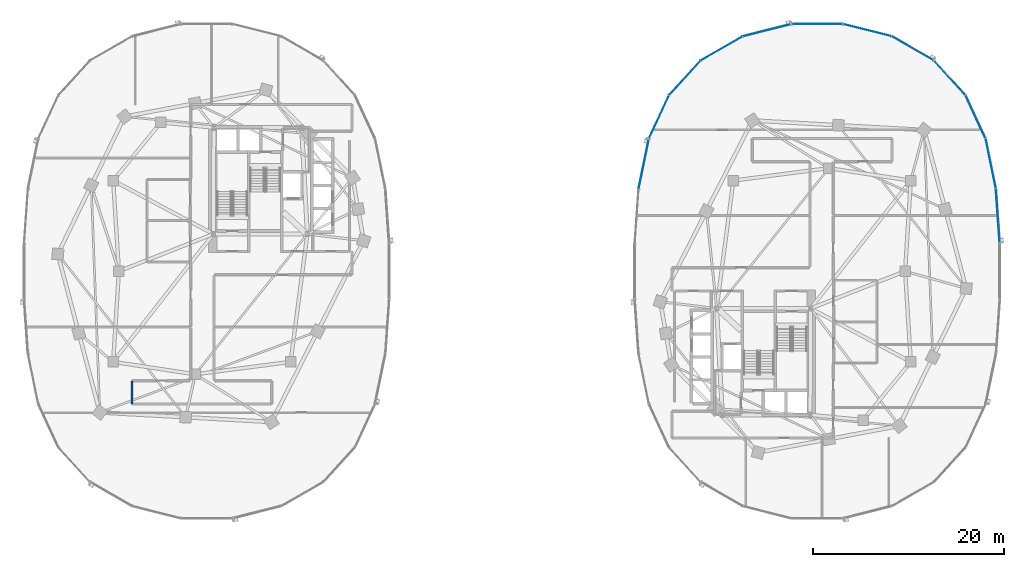
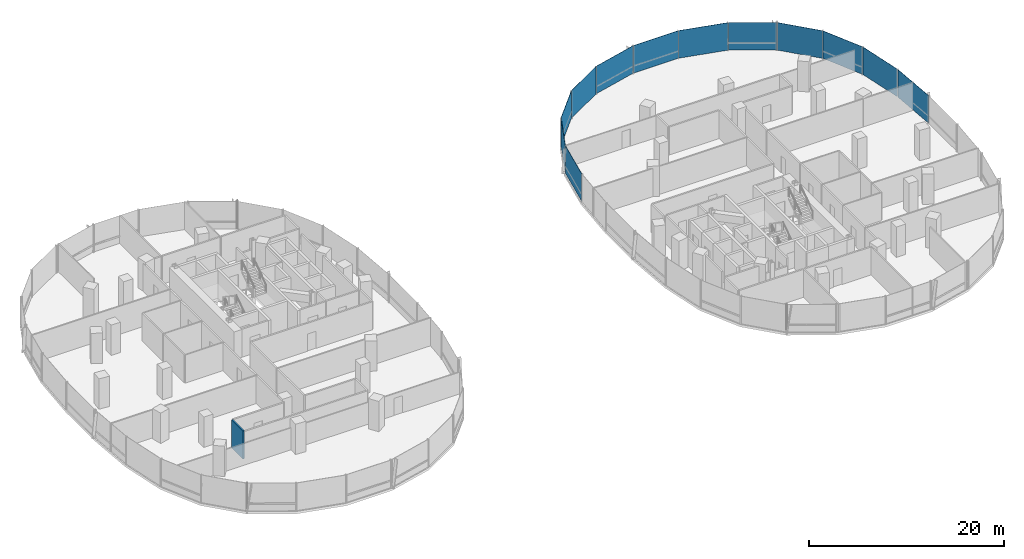
# One storey, part 10 of 21: 12 plates, 1 wall, 2 elements without a shape of their own.
"""IFC4 building model written with IfcOpenShell, lengths in metres."""

from ifc_helpers import new_model, si_unit, direction, frame, frame_2d, origin, origin_2d, place, context, subcontext, project, spatial, rectangle, extrude, material, layer, layer_set, type_object, element, aggregate, save


model = new_model("IFC4")

# Units and contexts
model_context = context("Model", 3, precision=1e-05, world=origin(), true_north=direction((0.0, 1.0)))
body_context = subcontext(model_context, "Body", "Model", "MODEL_VIEW")
ifc_project = project(units=[si_unit("LENGTHUNIT", "METRE"), si_unit("AREAUNIT", "SQUARE_METRE"), si_unit("VOLUMEUNIT", "CUBIC_METRE"), si_unit("PLANEANGLEUNIT", "RADIAN"), si_unit("MASSUNIT", "GRAM", prefix="KILO"), si_unit("THERMODYNAMICTEMPERATUREUNIT", "KELVIN"), si_unit("POWERUNIT", "WATT")], contexts=[model_context])

# Site, building, storey
site_placement = place(None, origin())
site = spatial("IfcSite", under=ifc_project, at=site_placement, CompositionType="ELEMENT")
building_placement = place(site_placement, origin())
building = spatial("IfcBuilding", under=site, at=building_placement, Name="Cundina Bronze Exchange", CompositionType="ELEMENT")
storey_placement = place(building_placement, frame((0.0, 0.0, 65.800048828125)))
storey = spatial("IfcBuildingStorey", under=building, at=storey_placement, Name="L16", CompositionType="ELEMENT", Elevation=65.800048828125)

# Curtain wall, plates
ifc_material_1 = material(Name="Anodised Bronze Aluminium 6063-T6", Category="aluminium")
curtain_wall_type = type_object("IfcCurtainWallType", Name="CWS-TRD-LOW", PredefinedType="NOTDEFINED", material=ifc_material_1)
curtain_wall_1_placement = place(storey_placement, origin())
curtain_wall_1 = element("IfcCurtainWall", 1, at=curtain_wall_1_placement, inside=storey, type_object=curtain_wall_type, Name="L16 CW-02 Curtain Wall Run CWR-L16-E1", PredefinedType="NOTDEFINED")
ifc_material_2 = material(Name="Heat-Strengthened Solar-Control Bronze Safety Glass 28mm", Category="glass")
ifc_layer_1 = layer(ifc_material_2, 0.028076171875, Name="Heat-Strengthened Solar-Control Bronze Safety Glass 28mm", Category="glass")
ifc_layer_set_1 = layer_set([ifc_layer_1], Name="Heat-Strengthened Solar-Control Bronze Safety Glass 28mm")
plate_type_1 = type_object("IfcPlateType", Name="PLT-GLZ-VIS28", PredefinedType="CURTAIN_PANEL", material=ifc_layer_set_1)
plate_1_placement = place(storey_placement, frame((50.9267578125, 5.783935546875, 0.02001953125), z_axis=(0.0, 0.0, 1.0), x_axis=(-0.070278787473, 0.997527389113, 0.0)))
plate_1 = element("IfcPlate", 2, at=plate_1_placement, type_object=plate_type_1, Name="CW-02 Glazed Panel 1", PredefinedType="CURTAIN_PANEL", context=body_context, shape_type="SweptSolid", body=[
    extrude(rectangle(XDim=5.644287109375, YDim=0.028076171875, at=origin_2d()), origin(), (0.0, 0.0, 1.0), 3.4599609375),
])
plate_2_placement = place(storey_placement, frame((50.18408203125, 11.269775390625, 0.02001953125), z_axis=(0.0, 0.0, 1.0), x_axis=(-0.201419845156, 0.979505000486, 0.0)))
plate_2 = element("IfcPlate", 3, at=plate_2_placement, type_object=plate_type_1, Name="CW-02 Glazed Panel 2", PredefinedType="CURTAIN_PANEL", context=body_context, shape_type="SweptSolid", body=[
    extrude(rectangle(XDim=5.306640625, YDim=0.028076171875, at=origin_2d()), origin(), (0.0, 0.0, 1.0), 3.4599609375),
])
plate_3_placement = place(storey_placement, frame((48.586181640625, 16.177734375, 0.02001953125), z_axis=(0.0, 0.0, 1.0), x_axis=(-0.42084583328, 0.907132175932, 0.0)))
plate_3 = element("IfcPlate", 4, at=plate_3_placement, type_object=plate_type_1, Name="CW-02 Glazed Panel 3", PredefinedType="CURTAIN_PANEL", context=body_context, shape_type="SweptSolid", body=[
    extrude(rectangle(XDim=4.966552734375, YDim=0.028076171875, at=origin_2d()), origin(), (0.0, 0.0, 1.0), 3.4599609375),
])
plate_4_placement = place(storey_placement, frame((42.019287109375, 23.34423828125, 0.02001953125), z_axis=(0.0, 0.0, 1.0), x_axis=(-0.867105478933, 0.498124571171, 0.0)))
plate_4 = element("IfcPlate", 5, at=plate_4_placement, type_object=plate_type_1, Name="CW-02 Glazed Panel 5", PredefinedType="CURTAIN_PANEL", context=body_context, shape_type="SweptSolid", body=[
    extrude(rectangle(XDim=5.021240234375, YDim=0.028076171875, at=origin_2d()), origin(), (0.0, 0.0, 1.0), 3.4599609375),
])
plate_5_placement = place(storey_placement, frame((37.255615234375, 25.256591796875, 0.02001953125), z_axis=(0.0, 0.0, 1.0), x_axis=(-0.969488149345, 0.245138182011, 0.0)))
plate_5 = element("IfcPlate", 6, at=plate_5_placement, type_object=plate_type_1, Name="CW-02 Glazed Panel 6", PredefinedType="CURTAIN_PANEL", context=body_context, shape_type="SweptSolid", body=[
    extrude(rectangle(XDim=5.2333984375, YDim=0.028076171875, at=origin_2d()), origin(), (0.0, 0.0, 1.0), 3.4599609375),
])
plate_6_placement = place(storey_placement, frame((32.0, 25.905029296875, 0.02001953125), z_axis=(0.0, 0.0, 1.0), x_axis=(-1.0, 0.0, 0.0)))
plate_6 = element("IfcPlate", 7, at=plate_6_placement, type_object=plate_type_1, Name="CW-02 Glazed Panel 7", PredefinedType="CURTAIN_PANEL", context=body_context, shape_type="SweptSolid", body=[
    extrude(rectangle(XDim=5.323974609375, YDim=0.028076171875, at=origin_2d()), origin(), (0.0, 0.0, 1.0), 3.4599609375),
])

curtain_wall_2_placement = place(storey_placement, origin())
curtain_wall_2 = element("IfcCurtainWall", 8, at=curtain_wall_2_placement, inside=storey, type_object=curtain_wall_type, Name="L16 CW-02 Curtain Wall Run CWR-L16-E2", PredefinedType="NOTDEFINED")
plate_7_placement = place(storey_placement, frame((26.744384765625, 25.256591796875, 0.02001953125), z_axis=(0.0, 0.0, 1.0), x_axis=(-0.969488149345, -0.245138182011, 0.0)))
plate_7 = element("IfcPlate", 9, at=plate_7_placement, type_object=plate_type_1, Name="CW-02 Glazed Panel 1", PredefinedType="CURTAIN_PANEL", context=body_context, shape_type="SweptSolid", body=[
    extrude(rectangle(XDim=5.2333984375, YDim=0.028076171875, at=origin_2d()), origin(), (0.0, 0.0, 1.0), 3.4599609375),
])
plate_8_placement = place(storey_placement, frame((21.980712890625, 23.34423828125, 0.02001953125), z_axis=(0.0, 0.0, 1.0), x_axis=(-0.867105478933, -0.498124571171, 0.0)))
plate_8 = element("IfcPlate", 10, at=plate_8_placement, type_object=plate_type_1, Name="CW-02 Glazed Panel 2", PredefinedType="CURTAIN_PANEL", context=body_context, shape_type="SweptSolid", body=[
    extrude(rectangle(XDim=5.021240234375, YDim=0.028076171875, at=origin_2d()), origin(), (0.0, 0.0, 1.0), 3.4599609375),
])
plate_9_placement = place(storey_placement, frame((15.413818359375, 16.177734375, 0.02001953125), z_axis=(0.0, 0.0, 1.0), x_axis=(-0.42084583328, -0.907132175932, 0.0)))
plate_9 = element("IfcPlate", 11, at=plate_9_placement, type_object=plate_type_1, Name="CW-02 Glazed Panel 4", PredefinedType="CURTAIN_PANEL", context=body_context, shape_type="SweptSolid", body=[
    extrude(rectangle(XDim=4.966552734375, YDim=0.028076171875, at=origin_2d()), origin(), (0.0, 0.0, 1.0), 3.4599609375),
])
plate_10_placement = place(storey_placement, frame((13.81591796875, 11.269775390625, 0.02001953125), z_axis=(0.0, 0.0, 1.0), x_axis=(-0.201419845156, -0.979505000486, 0.0)))
plate_10 = element("IfcPlate", 12, at=plate_10_placement, type_object=plate_type_1, Name="CW-02 Glazed Panel 5", PredefinedType="CURTAIN_PANEL", context=body_context, shape_type="SweptSolid", body=[
    extrude(rectangle(XDim=5.306640625, YDim=0.028076171875, at=origin_2d()), origin(), (0.0, 0.0, 1.0), 3.4599609375),
])

# Plate
ifc_material_3 = material(Name="Dark Bronze Spandrel Glass Panel 32mm", Category="glass")
ifc_layer_2 = layer(ifc_material_3, 0.031982421875, Name="Dark Bronze Spandrel Glass Panel 32mm", Category="glass")
ifc_layer_set_2 = layer_set([ifc_layer_2], Name="Dark Bronze Spandrel Glass Panel 32mm")
plate_type_2 = type_object("IfcPlateType", Name="PLT-SPN-BRZ32", PredefinedType="CURTAIN_PANEL", material=ifc_layer_set_2)
plate_11_placement = place(storey_placement, frame((45.8740234375, 20.267333984375, 0.02001953125), z_axis=(0.0, 0.0, 1.0), x_axis=(-0.674276610219, 0.73847887777, 0.0)))
plate_11 = element("IfcPlate", 13, at=plate_11_placement, type_object=plate_type_2, Name="CW-02 Glazed Panel 4", PredefinedType="CURTAIN_PANEL", context=body_context, shape_type="SweptSolid", body=[
    extrude(rectangle(XDim=4.86328125, YDim=0.031982421875, at=origin_2d()), origin(), (0.0, 0.0, 1.0), 3.4599609375),
])

aggregate(curtain_wall_1, [plate_1, plate_2, plate_3, plate_11, plate_4, plate_5, plate_6])

plate_12_placement = place(storey_placement, frame((18.1259765625, 20.267333984375, 0.02001953125), z_axis=(0.0, 0.0, 1.0), x_axis=(-0.674276610219, -0.73847887777, 0.0)))
plate_12 = element("IfcPlate", 14, at=plate_12_placement, type_object=plate_type_2, Name="CW-02 Glazed Panel 3", PredefinedType="CURTAIN_PANEL", context=body_context, shape_type="SweptSolid", body=[
    extrude(rectangle(XDim=4.86328125, YDim=0.031982421875, at=origin_2d()), origin(), (0.0, 0.0, 1.0), 3.4599609375),
])

aggregate(curtain_wall_2, [plate_7, plate_8, plate_12, plate_9, plate_10])

# Wall
ifc_material_4 = material(Name="Gypsum Fireboard Partition EI120")
ifc_layer_3 = layer(ifc_material_4, 0.179931640625, Name="Gypsum Fireboard Partition EI120")
ifc_layer_set_3 = layer_set([ifc_layer_3], Name="Gypsum Fireboard Partition EI120")
wall_type = type_object("IfcWallType", Name="WL-COR-180", PredefinedType="PARTITIONING", material=ifc_layer_set_3)
wall_placement = place(storey_placement, frame((-39.820068359375, -11.521484375, 0.0), z_axis=(0.0, 0.0, 1.0), x_axis=(0.0, -1.0, 0.0)))
element("IfcWall", 15, at=wall_placement, inside=storey, type_object=wall_type, Name="L16 Interior Partition 025", PredefinedType="PARTITIONING", context=body_context, shape_type="SweptSolid", body=[
    extrude(rectangle(XDim=2.35693359375, YDim=0.179931640625, at=frame_2d((1.178466796875, 0.0))), origin(), (0.0, 0.0, 1.0), 3.5),
])

save(model, "model.ifc")
